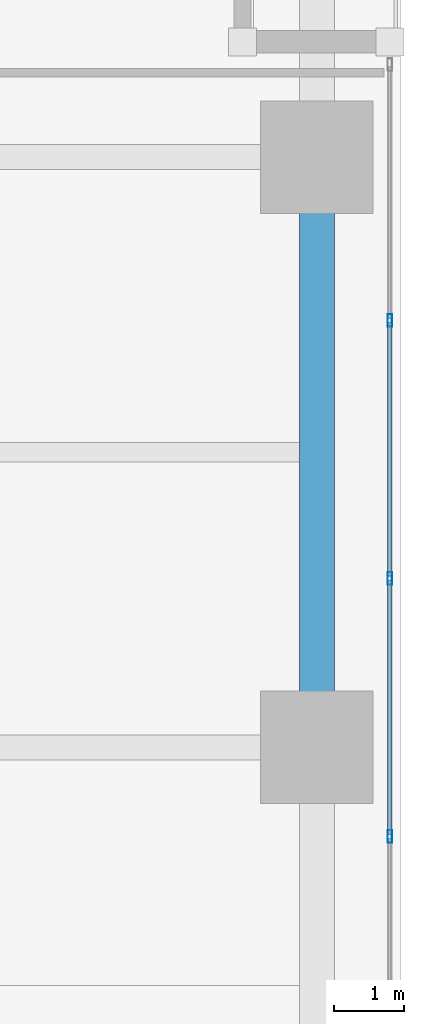
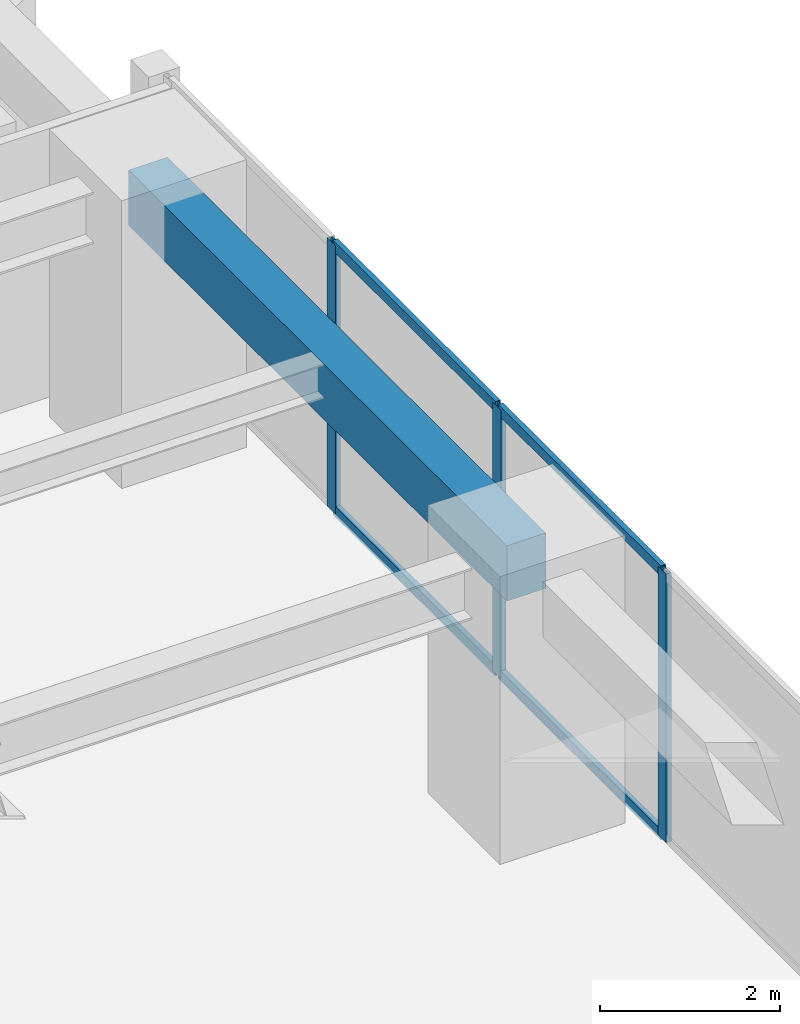
# One storey, part 8 of 28: 7 members, 1 beam, 1 element without a shape of its own.
"""IFC4 building model written with IfcOpenShell, lengths in metres."""

from ifc_helpers import new_model, si_unit, direction, frame, origin, origin_2d, place, context, subcontext, project, spatial, rectangle, hollow_rectangle, extrude, material, layer, layer_set, material_profile, profile_set, type_object, element, aggregate, save


model = new_model("IFC4")

# Units and contexts
model_context = context("Model", 3, precision=1e-05, world=origin(), true_north=direction((0.0, 1.0)))
body_context = subcontext(model_context, "Body", "Model", "MODEL_VIEW")
ifc_project = project(units=[si_unit("LENGTHUNIT", "METRE"), si_unit("AREAUNIT", "SQUARE_METRE"), si_unit("VOLUMEUNIT", "CUBIC_METRE"), si_unit("PLANEANGLEUNIT", "RADIAN"), si_unit("MASSUNIT", "GRAM", prefix="KILO")], contexts=[model_context])

# Site, building, storey
site_placement = place(None, origin())
site = spatial("IfcSite", under=ifc_project, at=site_placement, CompositionType="ELEMENT")
building_placement = place(site_placement, origin())
building = spatial("IfcBuilding", under=site, at=building_placement, Name="Kiyonajd Concourse Tower", CompositionType="ELEMENT")
storey_placement = place(building_placement, frame((0.0, 0.0, 60.60009765625)))
storey = spatial("IfcBuildingStorey", under=building, at=storey_placement, Name="L16", CompositionType="ELEMENT", Elevation=60.60009765625)

# Beam
ifc_material_1 = material(Name="Precast concrete C50/60", Category="concrete")
ifc_material_profile_1 = material_profile(ifc_material_1, rectangle(XDim=0.5, YDim=0.75, at=origin_2d()), Name="RCBM-500x750")
ifc_profile_set_1 = profile_set([ifc_material_profile_1], Name="Precast concrete C50/60")
beam_type = type_object("IfcBeamType", Name="BM-SPAN-RC", PredefinedType="SPANDREL", material=ifc_profile_set_1)
beam_placement = place(storey_placement, frame((78.0, 27.60009765625, 3.264892578125), z_axis=(0.0, 1.0, 0.0), x_axis=(-1.0, 0.0, 0.0)))
element("IfcBeam", 1, at=beam_placement, inside=storey, type_object=beam_type, Name="L16 Perimeter Bundled Tube Spandrel", PredefinedType="SPANDREL", context=body_context, shape_type="SweptSolid", body=[
    extrude(rectangle(XDim=0.5, YDim=0.75, at=origin_2d()), origin(), (0.0, 0.0, 1.0), 8.39990234375),
])

# Curtain wall, members
ifc_material_2 = material(Name="Thermally Broken Anodised Aluminium", Category="aluminium")
ifc_layer = layer(ifc_material_2, 0.179931640625)
ifc_layer_set = layer_set([ifc_layer], Name="Thermally Broken Anodised Aluminium")
curtain_wall_type = type_object("IfcCurtainWallType", Name="CW-SYS-02", PredefinedType="NOTDEFINED", material=ifc_layer_set)
curtain_wall_placement = place(storey_placement, origin())
curtain_wall = element("IfcCurtainWall", 2, at=curtain_wall_placement, inside=storey, type_object=curtain_wall_type, Name="L16 Unitised Curtain Wall CW2", PredefinedType="NOTDEFINED")
ifc_material_profile_2 = material_profile(ifc_material_2, hollow_rectangle(XDim=0.06494140625, YDim=0.179931640625, WallThickness=0.00390625, at=origin_2d()), Name="MULL-65x180")
ifc_profile_set_2 = profile_set([ifc_material_profile_2], Name="Thermally Broken Anodised Aluminium")
member_type_1 = type_object("IfcMemberType", Name="MB-CW-MULL1", PredefinedType="MULLION", material=ifc_profile_set_2)
member_1_placement = place(storey_placement, frame((79.0400390625, 33.6767578125, 0.0), z_axis=(0.0, 0.0, 1.0), x_axis=(1.0, 0.0, 0.0)))
member_1 = element("IfcMember", 3, at=member_1_placement, type_object=member_type_1, Name="CW2 mullion 2", PredefinedType="MULLION", context=body_context, shape_type="SweptSolid", body=[
    extrude(hollow_rectangle(XDim=0.06494140625, YDim=0.179931640625, WallThickness=0.00390625, at=origin_2d()), origin(), (0.0, 0.0, 1.0), 3.639892578125),
])
member_2_placement = place(storey_placement, frame((79.0400390625, 30.003662109375, 0.0), z_axis=(0.0, 0.0, 1.0), x_axis=(1.0, 0.0, 0.0)))
member_2 = element("IfcMember", 4, at=member_2_placement, type_object=member_type_1, Name="CW2 mullion 3", PredefinedType="MULLION", context=body_context, shape_type="SweptSolid", body=[
    extrude(hollow_rectangle(XDim=0.06494140625, YDim=0.179931640625, WallThickness=0.00390625, at=origin_2d()), origin(), (0.0, 0.0, 1.0), 3.639892578125),
])
member_3_placement = place(storey_placement, frame((79.0400390625, 26.33056640625, 0.0), z_axis=(0.0, 0.0, 1.0), x_axis=(1.0, 0.0, 0.0)))
member_3 = element("IfcMember", 5, at=member_3_placement, type_object=member_type_1, Name="CW2 mullion 4", PredefinedType="MULLION", context=body_context, shape_type="SweptSolid", body=[
    extrude(hollow_rectangle(XDim=0.06494140625, YDim=0.179931640625, WallThickness=0.00390625, at=origin_2d()), origin(), (0.0, 0.0, 1.0), 3.639892578125),
])
ifc_material_profile_3 = material_profile(ifc_material_2, hollow_rectangle(XDim=0.06494140625, YDim=0.139892578125, WallThickness=0.00390625, at=origin_2d()), Name="TRAN-65x140")
ifc_profile_set_3 = profile_set([ifc_material_profile_3], Name="Thermally Broken Anodised Aluminium")
member_type_2 = type_object("IfcMemberType", Name="MB-CW-TRAN1", PredefinedType="USERDEFINED", material=ifc_profile_set_3)
member_4_placement = place(storey_placement, frame((79.0400390625, 33.644287109375, 0.032470703125), z_axis=(0.0, -1.0, 0.0), x_axis=(1.0, 0.0, 0.0)))
member_4 = element("IfcMember", 6, at=member_4_placement, type_object=member_type_2, Name="CW2 transom 2.1", ObjectType="TRANSOM", PredefinedType="USERDEFINED", context=body_context, shape_type="SweptSolid", body=[
    extrude(hollow_rectangle(XDim=0.06494140625, YDim=0.139892578125, WallThickness=0.00390625, at=origin_2d()), origin(), (0.0, 0.0, 1.0), 3.608154296875),
])
member_5_placement = place(storey_placement, frame((79.0400390625, 33.644287109375, 3.607421875), z_axis=(0.0, -1.0, 0.0), x_axis=(1.0, 0.0, 0.0)))
member_5 = element("IfcMember", 7, at=member_5_placement, type_object=member_type_2, Name="CW2 transom 2.2", ObjectType="TRANSOM", PredefinedType="USERDEFINED", context=body_context, shape_type="SweptSolid", body=[
    extrude(hollow_rectangle(XDim=0.06494140625, YDim=0.139892578125, WallThickness=0.00390625, at=origin_2d()), origin(), (0.0, 0.0, 1.0), 3.608154296875),
])
member_6_placement = place(storey_placement, frame((79.0400390625, 29.97119140625, 0.032470703125), z_axis=(0.0, -1.0, 0.0), x_axis=(1.0, 0.0, 0.0)))
member_6 = element("IfcMember", 8, at=member_6_placement, type_object=member_type_2, Name="CW2 transom 3.1", ObjectType="TRANSOM", PredefinedType="USERDEFINED", context=body_context, shape_type="SweptSolid", body=[
    extrude(hollow_rectangle(XDim=0.06494140625, YDim=0.139892578125, WallThickness=0.00390625, at=origin_2d()), origin(), (0.0, 0.0, 1.0), 3.608154296875),
])
member_7_placement = place(storey_placement, frame((79.0400390625, 29.97119140625, 3.607421875), z_axis=(0.0, -1.0, 0.0), x_axis=(1.0, 0.0, 0.0)))
member_7 = element("IfcMember", 9, at=member_7_placement, type_object=member_type_2, Name="CW2 transom 3.2", ObjectType="TRANSOM", PredefinedType="USERDEFINED", context=body_context, shape_type="SweptSolid", body=[
    extrude(hollow_rectangle(XDim=0.06494140625, YDim=0.139892578125, WallThickness=0.00390625, at=origin_2d()), origin(), (0.0, 0.0, 1.0), 3.608154296875),
])
aggregate(curtain_wall, [member_1, member_2, member_3, member_4, member_5, member_6, member_7])

save(model, "model.ifc")
